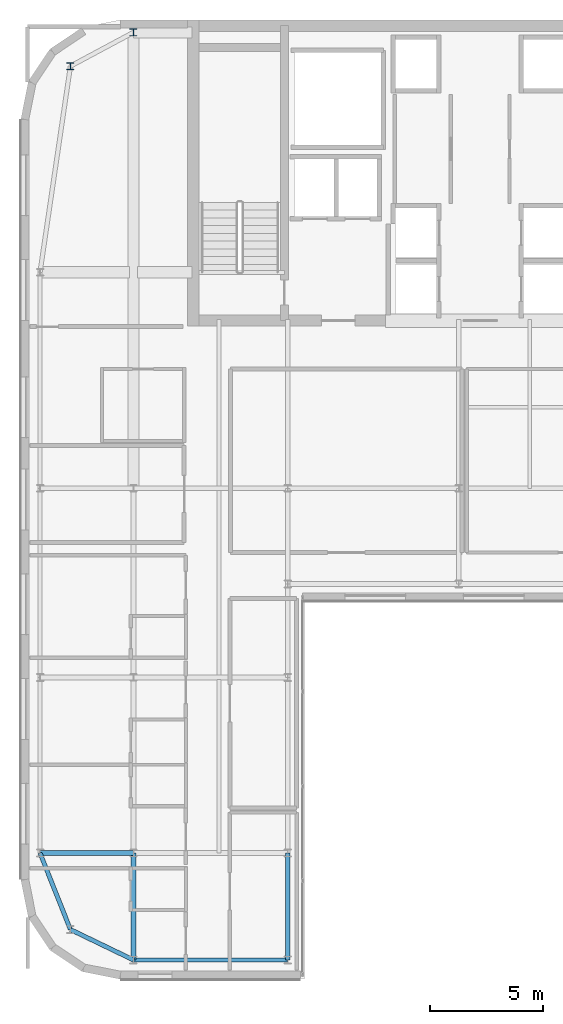
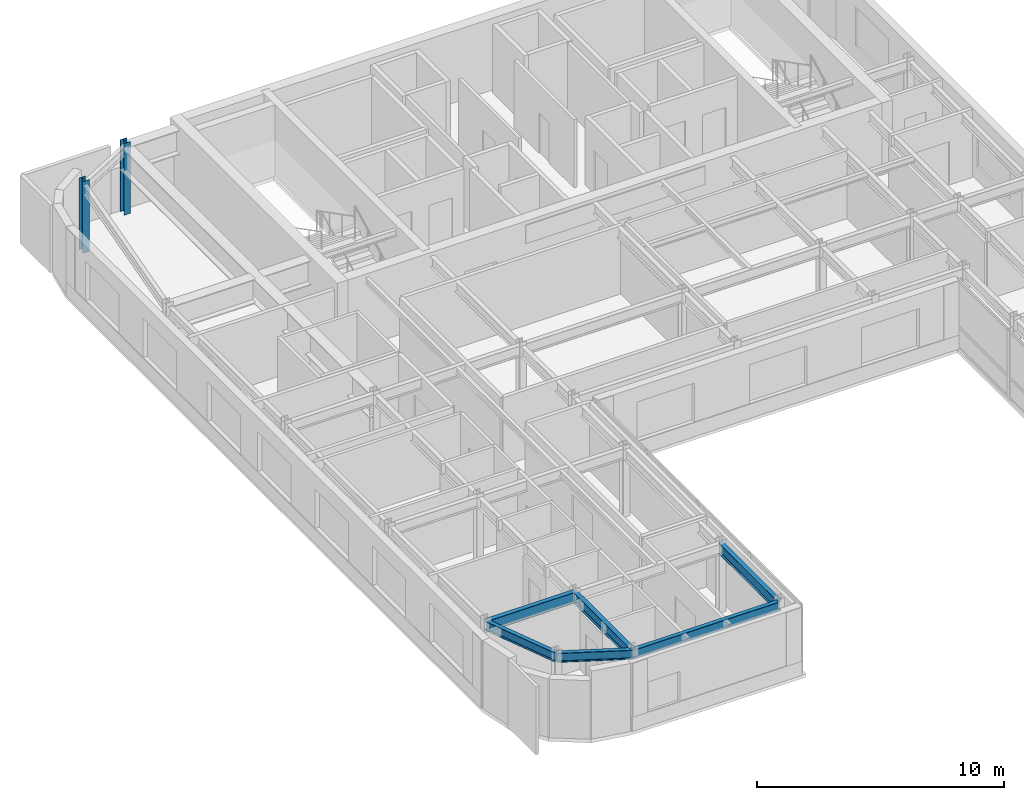
# One storey, part 3 of 20: 6 beams, 2 columns.
"""IFC4 building model written with IfcOpenShell, lengths in metres."""

from ifc_helpers import new_model, si_unit, direction, frame, origin, origin_2d, place, context, subcontext, project, spatial, i_section, extrude, source, transform, mapped, material, material_profile, profile_set, type_object, type_shapes, element, save


model = new_model("IFC4")

# Units and contexts
model_context = context("Model", 3, precision=1e-05, world=origin(), true_north=direction((0.0, 1.0)))
body_context = subcontext(model_context, "Body", "Model", "MODEL_VIEW")
ifc_project = project(units=[si_unit("LENGTHUNIT", "METRE"), si_unit("AREAUNIT", "SQUARE_METRE"), si_unit("VOLUMEUNIT", "CUBIC_METRE"), si_unit("PLANEANGLEUNIT", "RADIAN"), si_unit("MASSUNIT", "GRAM", prefix="KILO")], contexts=[model_context])

# Site, building, storey
site_placement = place(None, origin())
site = spatial("IfcSite", under=ifc_project, at=site_placement, CompositionType="ELEMENT")
building_placement = place(site_placement, origin())
building = spatial("IfcBuilding", under=site, at=building_placement, Name="Tolvann Quenvar Hotel", CompositionType="ELEMENT")
storey_placement = place(building_placement, frame((0.0, 0.0, 248.75)))
storey = spatial("IfcBuildingStorey", under=building, at=storey_placement, Name="L66", CompositionType="ELEMENT", Elevation=248.75)

# Columns
ifc_material = material(Name="Steel Grade 350", Category="steel")
ifc_material_profile_1 = material_profile(ifc_material, i_section(OverallWidth=0.30908203125, OverallDepth=0.321044921875, WebThickness=0.013916015625, FlangeThickness=0.021728515625, FilletRadius=0.0166015625, at=origin_2d()), Name="310UC137")
ifc_profile_set_1 = profile_set([ifc_material_profile_1], Name="Steel Grade 350")
column_type = type_object("IfcColumnType", Name="COL_310UC137", PredefinedType="COLUMN", material=ifc_profile_set_1)
shared_shape_1 = source(origin(), body_context, "Body", "SweptSolid", [
    extrude(i_section(OverallWidth=0.30908203125, OverallDepth=0.321044921875, WebThickness=0.013916015625, FlangeThickness=0.021728515625, FilletRadius=0.0166015625, at=origin_2d()), origin(), (0.0, 0.0, 1.0), 3.550048828125),
])
type_shapes(column_type, [shared_shape_1])
for number, where, z_axis, x_axis, name in (
    (1, (4.800048828125, 43.14990234375, 0.0), (0.0, 0.0, 1.0), (1.0, 0.0, 0.0), "Column BN (L66)"),
    (2, (7.60009765625, 44.64990234375, 0.0), (0.0, 0.0, 1.0), (1.0, 0.0, 0.0), "Column CN (L66)"),
):
    element("IfcColumn", number, at=place(storey_placement, frame(where, z_axis=z_axis, x_axis=x_axis)), inside=storey, type_object=column_type, Name=name, PredefinedType="COLUMN", context=body_context, shape_type="MappedRepresentation", body=[
        mapped(shared_shape_1, transform((0.0, 0.0, 0.0), x_axis=(1.0, 0.0, 0.0), y_axis=(0.0, 1.0, 0.0), z_axis=(0.0, 0.0, 1.0), scale=1.0)),
    ])

# Beams
ifc_material_profile_2 = material_profile(ifc_material, i_section(OverallWidth=0.208984375, OverallDepth=0.532958984375, WebThickness=0.01025390625, FlangeThickness=0.015625, FilletRadius=0.013916015625, at=origin_2d()), Name="530UB92")
ifc_profile_set_2 = profile_set([ifc_material_profile_2], Name="Steel Grade 350")
beam_type_1 = type_object("IfcBeamType", Name="BM_GIRD_530UB92", PredefinedType="BEAM", material=ifc_profile_set_2)
shared_shape_2 = source(origin(), body_context, "Body", "SweptSolid", [
    extrude(i_section(OverallWidth=0.208984375, OverallDepth=0.532958984375, WebThickness=0.01025390625, FlangeThickness=0.015625, FilletRadius=0.013916015625, at=origin_2d()), origin(), (0.0, 0.0, 1.0), 4.75),
])
for number, where, z_axis, x_axis, name in (
    (3, (7.60009765625, 3.449951171875, 3.103515625), (0.0, 1.0, 0.0), (-1.0, 0.0, 0.0), "BM-L66-NS-C2-C3"),
    (4, (14.449951171875, 3.449951171875, 3.103515625), (0.0, 1.0, 0.0), (-1.0, 0.0, 0.0), "BM-L66-NS-D2-D3"),
):
    element("IfcBeam", number, at=place(storey_placement, frame(where, z_axis=z_axis, x_axis=x_axis)), inside=storey, type_object=beam_type_1, Name=name, PredefinedType="BEAM", context=body_context, shape_type="MappedRepresentation", body=[
        mapped(shared_shape_2, transform((0.0, 0.0, 0.0), x_axis=(1.0, 0.0, 0.0), y_axis=(0.0, 1.0, 0.0), z_axis=(0.0, 0.0, 1.0), scale=1.0)),
    ])
ifc_material_profile_3 = material_profile(ifc_material, i_section(OverallWidth=0.19091796875, OverallDepth=0.4599609375, WebThickness=0.010009765625, FlangeThickness=0.01611328125, FilletRadius=0.011474609375, at=origin_2d()), Name="460UB82")
ifc_profile_set_3 = profile_set([ifc_material_profile_3], Name="Steel Grade 350")
beam_type_2 = type_object("IfcBeamType", Name="BM_SPAND_460UB82", PredefinedType="SPANDREL", material=ifc_profile_set_3)
shared_shape_3 = source(origin(), body_context, "Body", "SweptSolid", [
    extrude(i_section(OverallWidth=0.19091796875, OverallDepth=0.4599609375, WebThickness=0.010009765625, FlangeThickness=0.01611328125, FilletRadius=0.011474609375, at=origin_2d()), origin(), (0.0, 0.0, 1.0), 3.108642578125),
])
beam_1_placement = place(storey_placement, frame((4.800048828125, 4.800048828125, 3.139892578125), z_axis=(0.900759354066, -0.434318530646, 0.0), x_axis=(0.434318530646, 0.900759354066, 0.0)))
element("IfcBeam", 5, at=beam_1_placement, inside=storey, type_object=beam_type_2, Name="BM-L66-EW-2-B2-C2", PredefinedType="SPANDREL", context=body_context, shape_type="MappedRepresentation", body=[
    mapped(shared_shape_3, transform((0.0, 0.0, 0.0), x_axis=(1.0, 0.0, 0.0), y_axis=(0.0, 1.0, 0.0), z_axis=(0.0, 0.0, 1.0), scale=1.0)),
])
shared_shape_4 = source(origin(), body_context, "Body", "SweptSolid", [
    extrude(i_section(OverallWidth=0.19091796875, OverallDepth=0.4599609375, WebThickness=0.010009765625, FlangeThickness=0.01611328125, FilletRadius=0.011474609375, at=origin_2d()), origin(), (0.0, 0.0, 1.0), 3.658203125),
])
beam_2_placement = place(storey_placement, frame((4.800048828125, 4.800048828125, 3.139892578125), z_axis=(-0.369065163807, 0.929403521009, 0.0), x_axis=(-0.929403521009, -0.369065163807, 0.0)))
element("IfcBeam", 6, at=beam_2_placement, inside=storey, type_object=beam_type_2, Name="BM-L66-NS-B2-B3", PredefinedType="SPANDREL", context=body_context, shape_type="MappedRepresentation", body=[
    mapped(shared_shape_4, transform((0.0, 0.0, 0.0), x_axis=(1.0, 0.0, 0.0), y_axis=(0.0, 1.0, 0.0), z_axis=(0.0, 0.0, 1.0), scale=1.0)),
])
shared_shape_5 = source(origin(), body_context, "Body", "SweptSolid", [
    extrude(i_section(OverallWidth=0.19091796875, OverallDepth=0.4599609375, WebThickness=0.010009765625, FlangeThickness=0.01611328125, FilletRadius=0.011474609375, at=origin_2d()), origin(), (0.0, 0.0, 1.0), 6.849853515625),
])
type_shapes(beam_type_2, [shared_shape_3, shared_shape_4, shared_shape_5])
beam_3_placement = place(storey_placement, frame((7.60009765625, 3.449951171875, 3.139892578125), z_axis=(1.0, 0.0, 0.0), x_axis=(0.0, 1.0, 0.0)))
element("IfcBeam", 7, at=beam_3_placement, inside=storey, type_object=beam_type_2, Name="BM-L66-EW-2-C2-D2", PredefinedType="SPANDREL", context=body_context, shape_type="MappedRepresentation", body=[
    mapped(shared_shape_5, transform((0.0, 0.0, 0.0), x_axis=(1.0, 0.0, 0.0), y_axis=(0.0, 1.0, 0.0), z_axis=(0.0, 0.0, 1.0), scale=1.0)),
])
shared_shape_6 = source(origin(), body_context, "Body", "SweptSolid", [
    extrude(i_section(OverallWidth=0.208984375, OverallDepth=0.532958984375, WebThickness=0.01025390625, FlangeThickness=0.015625, FilletRadius=0.013916015625, at=origin_2d()), origin(), (0.0, 0.0, 1.0), 4.150146484375),
])
type_shapes(beam_type_1, [shared_shape_2, shared_shape_6])
beam_4_placement = place(storey_placement, frame((3.449951171875, 8.199951171875, 3.103515625), z_axis=(1.0, 0.0, 0.0), x_axis=(0.0, 1.0, 0.0)))
element("IfcBeam", 8, at=beam_4_placement, inside=storey, type_object=beam_type_1, Name="BM-L66-EW-3-B3-C3", PredefinedType="BEAM", context=body_context, shape_type="MappedRepresentation", body=[
    mapped(shared_shape_6, transform((0.0, 0.0, 0.0), x_axis=(1.0, 0.0, 0.0), y_axis=(0.0, 1.0, 0.0), z_axis=(0.0, 0.0, 1.0), scale=1.0)),
])

save(model, "model.ifc")
